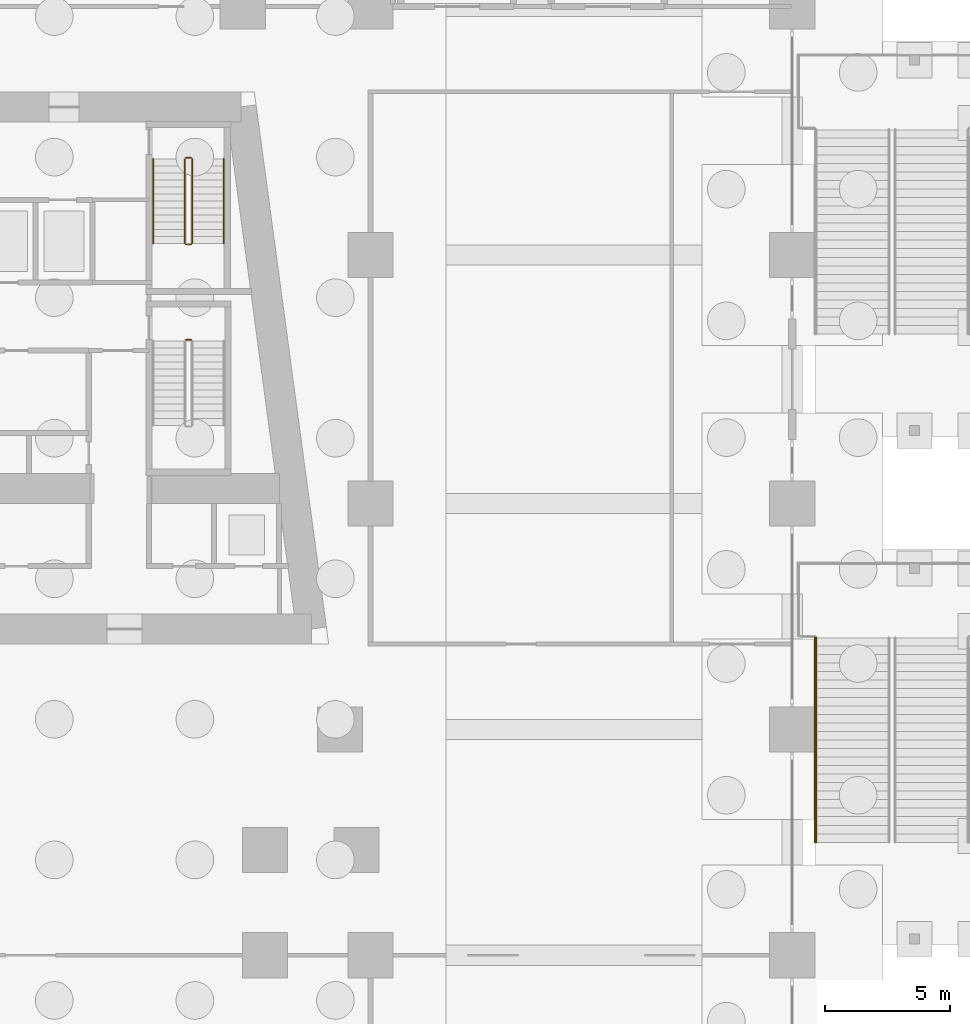
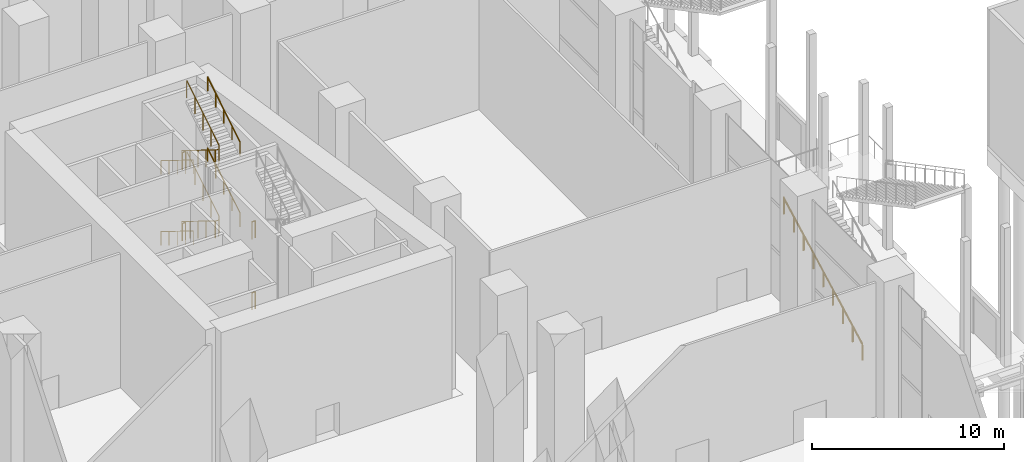
# One storey, part 63 of 72: 12 railings.
"""IFC4 building model written with IfcOpenShell, lengths in metres."""

from ifc_helpers import new_model, si_unit, direction, frame, origin, origin_2d, place, context, subcontext, project, spatial, circle, extrude, material, type_object, element, save


model = new_model("IFC4")

# Units and contexts
model_context = context("Model", 3, precision=1e-05, world=origin(), true_north=direction((0.0, 1.0)))
body_context = subcontext(model_context, "Body", "Model", "MODEL_VIEW")
ifc_project = project(units=[si_unit("LENGTHUNIT", "METRE"), si_unit("AREAUNIT", "SQUARE_METRE"), si_unit("VOLUMEUNIT", "CUBIC_METRE"), si_unit("PLANEANGLEUNIT", "RADIAN"), si_unit("MASSUNIT", "GRAM", prefix="KILO")], contexts=[model_context])

# Site, building, storey
site_placement = place(None, origin())
site = spatial("IfcSite", under=ifc_project, at=site_placement, CompositionType="ELEMENT")
building_placement = place(site_placement, origin())
building = spatial("IfcBuilding", under=site, at=building_placement, Name="Candeia Pilgrim Tower and Theatre", CompositionType="ELEMENT")
storey_placement = place(building_placement, origin())
storey = spatial("IfcBuildingStorey", under=building, at=storey_placement, Name="L00", CompositionType="ELEMENT", Elevation=0.0)

# Railings
ifc_material_1 = material(Name="Stainless steel balustrade", Category="steel")
railing_type_1 = type_object("IfcRailingType", Name="RL-GUARD-1100", PredefinedType="GUARDRAIL", material=ifc_material_1)
for number, where, name in (
    (1, (135.447998046875, 122.52490234375, 4.5), "L00 ST3 stair guard 2"),
    (2, (135.447998046875, 122.52490234375, 0.0), "L00 ST3 stair guard 4"),
):
    element("IfcRailing", number, at=place(storey_placement, frame(where)), inside=storey, type_object=railing_type_1, Name=name, PredefinedType="GUARDRAIL", context=body_context, shape_type="SweptSolid", body=[
        extrude(circle(Radius=0.02392578125, at=origin_2d()), frame((0.0, 0.0, 1.076171875), z_axis=(1.0, 0.0, 0.0), x_axis=(0.0, 1.0, 0.0)), (0.0, 0.0, 1.0), 0.199951171875),
        extrude(circle(Radius=0.02099609375, at=origin_2d()), origin(), (0.0, 0.0, 1.0), 1.052001953125),
        extrude(circle(Radius=0.02099609375, at=origin_2d()), frame((0.199951171875, 0.0, 0.0)), (0.0, 0.0, 1.0), 1.052001953125),
    ])
railing_1_placement = place(storey_placement, frame((135.39794921875, 129.72509765625, 0.173095703125)))
element("IfcRailing", 3, at=railing_1_placement, inside=storey, type_object=railing_type_1, Name="L00 ST4 stair guard 1", PredefinedType="GUARDRAIL", context=body_context, shape_type="SweptSolid", body=[
    extrude(circle(Radius=0.02392578125, at=origin_2d()), frame((0.0, 0.0, 1.076171875), z_axis=(0.0, -0.850623216509, 0.525775754039), x_axis=(1.0, 0.0, 0.0)), (0.0, 0.0, 1.0), 3.9501953125),
    extrude(circle(Radius=0.02392578125, at=origin_2d()), frame((0.0, -3.360107421875, 3.15283203125), z_axis=(0.707106781187, -0.707106781187, 0.0), x_axis=(0.707106781187, 0.707106781187, 0.0)), (0.0, 0.0, 1.0), 0.07080078125),
    extrude(circle(Radius=0.02392578125, at=origin_2d()), frame((0.050048828125, -3.41015625, 3.15283203125), z_axis=(1.0, 0.0, 0.0), x_axis=(0.0, 1.0, 0.0)), (0.0, 0.0, 1.0), 0.199951171875),
    extrude(circle(Radius=0.02392578125, at=origin_2d()), frame((0.25, -3.41015625, 3.15283203125), z_axis=(0.267629722418, 0.267629722418, 0.925607186314), x_axis=(-0.707106781187, 0.707106781187, 0.0)), (0.0, 0.0, 1.0), 0.18701171875),
    extrude(circle(Radius=0.02392578125, at=origin_2d()), frame((0.300048828125, -3.360107421875, 3.326171875), z_axis=(0.0, 0.850623216509, 0.525775754039), x_axis=(-1.0, 0.0, 0.0)), (0.0, 0.0, 1.0), 3.9501953125),
    extrude(circle(Radius=0.02099609375, at=origin_2d()), origin(), (0.0, 0.0, 1.0), 1.052001953125),
    extrude(circle(Radius=0.02099609375, at=origin_2d()), frame((0.0, -0.840087890625, 0.519287109375)), (0.0, 0.0, 1.0), 1.052001953125),
    extrude(circle(Radius=0.02099609375, at=origin_2d()), frame((0.0, -1.68017578125, 1.03857421875)), (0.0, 0.0, 1.0), 1.052001953125),
    extrude(circle(Radius=0.02099609375, at=origin_2d()), frame((0.0, -2.52001953125, 1.5576171875)), (0.0, 0.0, 1.0), 1.052001953125),
    extrude(circle(Radius=0.02099609375, at=origin_2d()), frame((0.0, -3.360107421875, 2.076904296875)), (0.0, 0.0, 1.0), 1.052001953125),
    extrude(circle(Radius=0.02099609375, at=origin_2d()), frame((0.050048828125, -3.41015625, 2.076904296875)), (0.0, 0.0, 1.0), 1.052001953125),
    extrude(circle(Radius=0.02099609375, at=origin_2d()), frame((0.25, -3.41015625, 2.076904296875)), (0.0, 0.0, 1.0), 1.052001953125),
    extrude(circle(Radius=0.02099609375, at=origin_2d()), frame((0.300048828125, -3.360107421875, 2.25)), (0.0, 0.0, 1.0), 1.052001953125),
    extrude(circle(Radius=0.02099609375, at=origin_2d()), frame((0.300048828125, -2.52001953125, 2.769287109375)), (0.0, 0.0, 1.0), 1.052001953125),
    extrude(circle(Radius=0.02099609375, at=origin_2d()), frame((0.300048828125, -1.68017578125, 3.28857421875)), (0.0, 0.0, 1.0), 1.052001953125),
    extrude(circle(Radius=0.02099609375, at=origin_2d()), frame((0.300048828125, -0.840087890625, 3.8076171875)), (0.0, 0.0, 1.0), 1.052001953125),
    extrude(circle(Radius=0.02099609375, at=origin_2d()), frame((0.300048828125, 0.0, 4.326904296875)), (0.0, 0.0, 1.0), 1.052001953125),
])
railing_2_placement = place(storey_placement, frame((135.447998046875, 129.77490234375, 4.5)))
element("IfcRailing", 4, at=railing_2_placement, inside=storey, type_object=railing_type_1, Name="L00 ST4 stair guard 2", PredefinedType="GUARDRAIL", context=body_context, shape_type="SweptSolid", body=[
    extrude(circle(Radius=0.02392578125, at=origin_2d()), frame((0.0, 0.0, 1.076171875), z_axis=(1.0, 0.0, 0.0), x_axis=(0.0, 1.0, 0.0)), (0.0, 0.0, 1.0), 0.199951171875),
    extrude(circle(Radius=0.02099609375, at=origin_2d()), origin(), (0.0, 0.0, 1.0), 1.052001953125),
    extrude(circle(Radius=0.02099609375, at=origin_2d()), frame((0.199951171875, 0.0, 0.0)), (0.0, 0.0, 1.0), 1.052001953125),
])
railing_3_placement = place(storey_placement, frame((135.39794921875, 129.72509765625, 4.673095703125)))
element("IfcRailing", 5, at=railing_3_placement, inside=storey, type_object=railing_type_1, Name="L00 ST4 stair guard 3", PredefinedType="GUARDRAIL", context=body_context, shape_type="SweptSolid", body=[
    extrude(circle(Radius=0.02392578125, at=origin_2d()), frame((0.0, 0.0, 1.076171875), z_axis=(0.0, -0.850623216509, 0.525775754039), x_axis=(1.0, 0.0, 0.0)), (0.0, 0.0, 1.0), 3.9501953125),
    extrude(circle(Radius=0.02392578125, at=origin_2d()), frame((0.0, -3.360107421875, 3.15283203125), z_axis=(0.707106781187, -0.707106781187, 0.0), x_axis=(0.707106781187, 0.707106781187, 0.0)), (0.0, 0.0, 1.0), 0.07080078125),
    extrude(circle(Radius=0.02392578125, at=origin_2d()), frame((0.050048828125, -3.41015625, 3.15283203125), z_axis=(1.0, 0.0, 0.0), x_axis=(0.0, 1.0, 0.0)), (0.0, 0.0, 1.0), 0.199951171875),
    extrude(circle(Radius=0.02392578125, at=origin_2d()), frame((0.25, -3.41015625, 3.15283203125), z_axis=(0.267629722418, 0.267629722418, 0.925607186314), x_axis=(-0.707106781187, 0.707106781187, 0.0)), (0.0, 0.0, 1.0), 0.18701171875),
    extrude(circle(Radius=0.02392578125, at=origin_2d()), frame((0.300048828125, -3.360107421875, 3.326171875), z_axis=(0.0, 0.850623216509, 0.525775754039), x_axis=(-1.0, 0.0, 0.0)), (0.0, 0.0, 1.0), 3.9501953125),
    extrude(circle(Radius=0.02099609375, at=origin_2d()), origin(), (0.0, 0.0, 1.0), 1.052001953125),
    extrude(circle(Radius=0.02099609375, at=origin_2d()), frame((0.0, -0.840087890625, 0.519287109375)), (0.0, 0.0, 1.0), 1.052001953125),
    extrude(circle(Radius=0.02099609375, at=origin_2d()), frame((0.0, -1.68017578125, 1.03857421875)), (0.0, 0.0, 1.0), 1.052001953125),
    extrude(circle(Radius=0.02099609375, at=origin_2d()), frame((0.0, -2.52001953125, 1.5576171875)), (0.0, 0.0, 1.0), 1.052001953125),
    extrude(circle(Radius=0.02099609375, at=origin_2d()), frame((0.0, -3.360107421875, 2.076904296875)), (0.0, 0.0, 1.0), 1.052001953125),
    extrude(circle(Radius=0.02099609375, at=origin_2d()), frame((0.050048828125, -3.41015625, 2.076904296875)), (0.0, 0.0, 1.0), 1.052001953125),
    extrude(circle(Radius=0.02099609375, at=origin_2d()), frame((0.25, -3.41015625, 2.076904296875)), (0.0, 0.0, 1.0), 1.052001953125),
    extrude(circle(Radius=0.02099609375, at=origin_2d()), frame((0.300048828125, -3.360107421875, 2.25)), (0.0, 0.0, 1.0), 1.052001953125),
    extrude(circle(Radius=0.02099609375, at=origin_2d()), frame((0.300048828125, -2.52001953125, 2.769287109375)), (0.0, 0.0, 1.0), 1.052001953125),
    extrude(circle(Radius=0.02099609375, at=origin_2d()), frame((0.300048828125, -1.68017578125, 3.28857421875)), (0.0, 0.0, 1.0), 1.052001953125),
    extrude(circle(Radius=0.02099609375, at=origin_2d()), frame((0.300048828125, -0.840087890625, 3.8076171875)), (0.0, 0.0, 1.0), 1.052001953125),
    extrude(circle(Radius=0.02099609375, at=origin_2d()), frame((0.300048828125, 0.0, 4.326904296875)), (0.0, 0.0, 1.0), 1.052001953125),
])
railing_4_placement = place(storey_placement, frame((135.447998046875, 129.77490234375, 0.0)))
element("IfcRailing", 6, at=railing_4_placement, inside=storey, type_object=railing_type_1, Name="L00 ST4 stair guard 4", PredefinedType="GUARDRAIL", context=body_context, shape_type="SweptSolid", body=[
    extrude(circle(Radius=0.02392578125, at=origin_2d()), frame((0.0, 0.0, 1.076171875), z_axis=(1.0, 0.0, 0.0), x_axis=(0.0, 1.0, 0.0)), (0.0, 0.0, 1.0), 0.199951171875),
    extrude(circle(Radius=0.02099609375, at=origin_2d()), origin(), (0.0, 0.0, 1.0), 1.052001953125),
    extrude(circle(Radius=0.02099609375, at=origin_2d()), frame((0.199951171875, 0.0, 0.0)), (0.0, 0.0, 1.0), 1.052001953125),
])
railing_5_placement = place(storey_placement, frame((160.5, 102.5, 0.179931640625)))
element("IfcRailing", 7, at=railing_5_placement, inside=storey, type_object=railing_type_1, Name="L00 ES1 stair guard 3", PredefinedType="GUARDRAIL", context=body_context, shape_type="SweptSolid", body=[
    extrude(circle(Radius=0.02392578125, at=origin_2d()), frame((0.0, 0.0, 1.076171875), z_axis=(0.0, 0.883782770755, 0.467897439742), x_axis=(-1.0, 0.0, 0.0)), (0.0, 0.0, 1.0), 9.23291015625),
    extrude(circle(Radius=0.02099609375, at=origin_2d()), origin(), (0.0, 0.0, 1.0), 1.052001953125),
    extrude(circle(Radius=0.02099609375, at=origin_2d()), frame((0.0, 1.02001953125, 0.5400390625)), (0.0, 0.0, 1.0), 1.052001953125),
    extrude(circle(Radius=0.02099609375, at=origin_2d()), frame((0.0, 2.0400390625, 1.080078125)), (0.0, 0.0, 1.0), 1.052001953125),
    extrude(circle(Radius=0.02099609375, at=origin_2d()), frame((0.0, 3.06005859375, 1.6201171875)), (0.0, 0.0, 1.0), 1.052001953125),
    extrude(circle(Radius=0.02099609375, at=origin_2d()), frame((0.0, 4.080078125, 2.16015625)), (0.0, 0.0, 1.0), 1.052001953125),
    extrude(circle(Radius=0.02099609375, at=origin_2d()), frame((0.0, 5.099853515625, 2.699951171875)), (0.0, 0.0, 1.0), 1.052001953125),
    extrude(circle(Radius=0.02099609375, at=origin_2d()), frame((0.0, 6.119873046875, 3.239990234375)), (0.0, 0.0, 1.0), 1.052001953125),
    extrude(circle(Radius=0.02099609375, at=origin_2d()), frame((0.0, 7.139892578125, 3.780029296875)), (0.0, 0.0, 1.0), 1.052001953125),
    extrude(circle(Radius=0.02099609375, at=origin_2d()), frame((0.0, 8.159912109375, 4.320068359375)), (0.0, 0.0, 1.0), 1.052001953125),
])
ifc_material_2 = material(Name="Stainless steel handrail", Category="steel")
railing_type_2 = type_object("IfcRailingType", Name="RL-HANDRAIL-900", PredefinedType="HANDRAIL", material=ifc_material_2)
railing_6_placement = place(storey_placement, frame((134.14794921875, 129.72509765625, 0.173095703125)))
element("IfcRailing", 8, at=railing_6_placement, inside=storey, type_object=railing_type_2, Name="L00 ST4 stair handrail 1", PredefinedType="HANDRAIL", context=body_context, shape_type="SweptSolid", body=[
    extrude(circle(Radius=0.02392578125, at=origin_2d()), frame((0.0, 0.0, 0.8759765625), z_axis=(0.0, -0.850623216509, 0.525775754039), x_axis=(1.0, 0.0, 0.0)), (0.0, 0.0, 1.0), 3.9501953125),
    extrude(circle(Radius=0.02099609375, at=origin_2d()), origin(), (0.0, 0.0, 1.0), 0.851806640625),
    extrude(circle(Radius=0.02099609375, at=origin_2d()), frame((0.0, -0.840087890625, 0.519287109375)), (0.0, 0.0, 1.0), 0.851806640625),
    extrude(circle(Radius=0.02099609375, at=origin_2d()), frame((0.0, -1.68017578125, 1.03857421875)), (0.0, 0.0, 1.0), 0.851806640625),
    extrude(circle(Radius=0.02099609375, at=origin_2d()), frame((0.0, -2.52001953125, 1.5576171875)), (0.0, 0.0, 1.0), 0.851806640625),
    extrude(circle(Radius=0.02099609375, at=origin_2d()), frame((0.0, -3.360107421875, 2.076904296875)), (0.0, 0.0, 1.0), 0.851806640625),
])
railing_7_placement = place(storey_placement, frame((136.947998046875, 126.364990234375, 2.423095703125)))
element("IfcRailing", 9, at=railing_7_placement, inside=storey, type_object=railing_type_2, Name="L00 ST4 stair handrail 2", PredefinedType="HANDRAIL", context=body_context, shape_type="SweptSolid", body=[
    extrude(circle(Radius=0.02392578125, at=origin_2d()), frame((0.0, 0.0, 0.8759765625), z_axis=(0.0, 0.850623216509, 0.525775754039), x_axis=(-1.0, 0.0, 0.0)), (0.0, 0.0, 1.0), 3.9501953125),
    extrude(circle(Radius=0.02099609375, at=origin_2d()), origin(), (0.0, 0.0, 1.0), 0.851806640625),
    extrude(circle(Radius=0.02099609375, at=origin_2d()), frame((0.0, 0.840087890625, 0.519287109375)), (0.0, 0.0, 1.0), 0.851806640625),
    extrude(circle(Radius=0.02099609375, at=origin_2d()), frame((0.0, 1.68017578125, 1.03857421875)), (0.0, 0.0, 1.0), 0.851806640625),
    extrude(circle(Radius=0.02099609375, at=origin_2d()), frame((0.0, 2.52001953125, 1.5576171875)), (0.0, 0.0, 1.0), 0.851806640625),
    extrude(circle(Radius=0.02099609375, at=origin_2d()), frame((0.0, 3.360107421875, 2.076904296875)), (0.0, 0.0, 1.0), 0.851806640625),
])
railing_8_placement = place(storey_placement, frame((134.14794921875, 129.72509765625, 4.673095703125)))
element("IfcRailing", 10, at=railing_8_placement, inside=storey, type_object=railing_type_2, Name="L00 ST4 stair handrail 3", PredefinedType="HANDRAIL", context=body_context, shape_type="SweptSolid", body=[
    extrude(circle(Radius=0.02392578125, at=origin_2d()), frame((0.0, 0.0, 0.8759765625), z_axis=(0.0, -0.850623216509, 0.525775754039), x_axis=(1.0, 0.0, 0.0)), (0.0, 0.0, 1.0), 3.9501953125),
    extrude(circle(Radius=0.02099609375, at=origin_2d()), origin(), (0.0, 0.0, 1.0), 0.851806640625),
    extrude(circle(Radius=0.02099609375, at=origin_2d()), frame((0.0, -0.840087890625, 0.519287109375)), (0.0, 0.0, 1.0), 0.851806640625),
    extrude(circle(Radius=0.02099609375, at=origin_2d()), frame((0.0, -1.68017578125, 1.03857421875)), (0.0, 0.0, 1.0), 0.851806640625),
    extrude(circle(Radius=0.02099609375, at=origin_2d()), frame((0.0, -2.52001953125, 1.5576171875)), (0.0, 0.0, 1.0), 0.851806640625),
    extrude(circle(Radius=0.02099609375, at=origin_2d()), frame((0.0, -3.360107421875, 2.076904296875)), (0.0, 0.0, 1.0), 0.851806640625),
])
railing_9_placement = place(storey_placement, frame((136.947998046875, 126.364990234375, 6.923095703125)))
element("IfcRailing", 11, at=railing_9_placement, inside=storey, type_object=railing_type_2, Name="L00 ST4 stair handrail 4", PredefinedType="HANDRAIL", context=body_context, shape_type="SweptSolid", body=[
    extrude(circle(Radius=0.02392578125, at=origin_2d()), frame((0.0, 0.0, 0.8759765625), z_axis=(0.0, 0.850623216509, 0.525775754039), x_axis=(-1.0, 0.0, 0.0)), (0.0, 0.0, 1.0), 3.9501953125),
    extrude(circle(Radius=0.02099609375, at=origin_2d()), origin(), (0.0, 0.0, 1.0), 0.851806640625),
    extrude(circle(Radius=0.02099609375, at=origin_2d()), frame((0.0, 0.840087890625, 0.519287109375)), (0.0, 0.0, 1.0), 0.851806640625),
    extrude(circle(Radius=0.02099609375, at=origin_2d()), frame((0.0, 1.68017578125, 1.03857421875)), (0.0, 0.0, 1.0), 0.851806640625),
    extrude(circle(Radius=0.02099609375, at=origin_2d()), frame((0.0, 2.52001953125, 1.5576171875)), (0.0, 0.0, 1.0), 0.851806640625),
    extrude(circle(Radius=0.02099609375, at=origin_2d()), frame((0.0, 3.360107421875, 2.076904296875)), (0.0, 0.0, 1.0), 0.851806640625),
])
railing_10_placement = place(storey_placement, frame((160.550048828125, 102.5, 0.179931640625)))
element("IfcRailing", 12, at=railing_10_placement, inside=storey, type_object=railing_type_2, Name="L00 ES1 stair handrail 1", PredefinedType="HANDRAIL", context=body_context, shape_type="SweptSolid", body=[
    extrude(circle(Radius=0.02392578125, at=origin_2d()), frame((0.0, 0.0, 0.8759765625), z_axis=(0.0, 0.883782770755, 0.467897439742), x_axis=(-1.0, 0.0, 0.0)), (0.0, 0.0, 1.0), 9.23291015625),
    extrude(circle(Radius=0.02099609375, at=origin_2d()), origin(), (0.0, 0.0, 1.0), 0.851806640625),
    extrude(circle(Radius=0.02099609375, at=origin_2d()), frame((0.0, 1.02001953125, 0.5400390625)), (0.0, 0.0, 1.0), 0.851806640625),
    extrude(circle(Radius=0.02099609375, at=origin_2d()), frame((0.0, 2.0400390625, 1.080078125)), (0.0, 0.0, 1.0), 0.851806640625),
    extrude(circle(Radius=0.02099609375, at=origin_2d()), frame((0.0, 3.06005859375, 1.6201171875)), (0.0, 0.0, 1.0), 0.851806640625),
    extrude(circle(Radius=0.02099609375, at=origin_2d()), frame((0.0, 4.080078125, 2.16015625)), (0.0, 0.0, 1.0), 0.851806640625),
    extrude(circle(Radius=0.02099609375, at=origin_2d()), frame((0.0, 5.099853515625, 2.699951171875)), (0.0, 0.0, 1.0), 0.851806640625),
    extrude(circle(Radius=0.02099609375, at=origin_2d()), frame((0.0, 6.119873046875, 3.239990234375)), (0.0, 0.0, 1.0), 0.851806640625),
    extrude(circle(Radius=0.02099609375, at=origin_2d()), frame((0.0, 7.139892578125, 3.780029296875)), (0.0, 0.0, 1.0), 0.851806640625),
    extrude(circle(Radius=0.02099609375, at=origin_2d()), frame((0.0, 8.159912109375, 4.320068359375)), (0.0, 0.0, 1.0), 0.851806640625),
])

save(model, "model.ifc")
